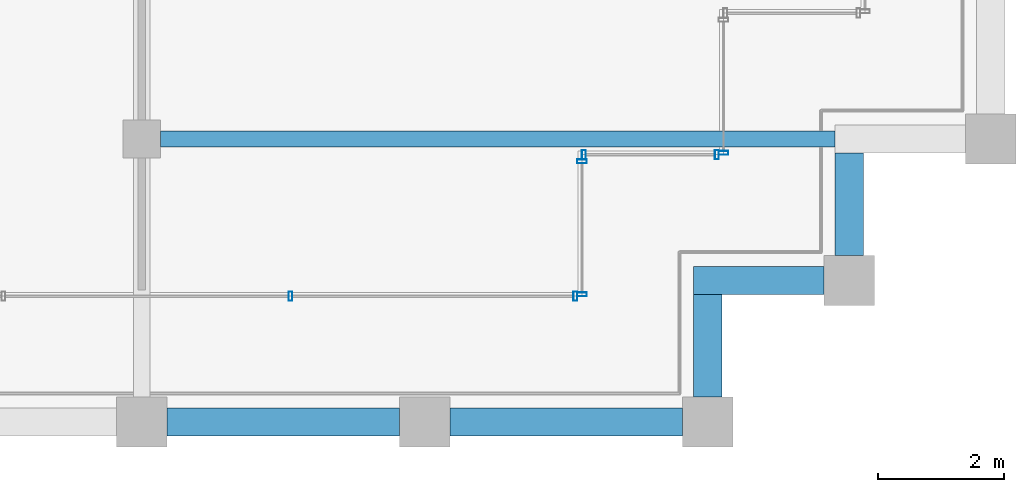
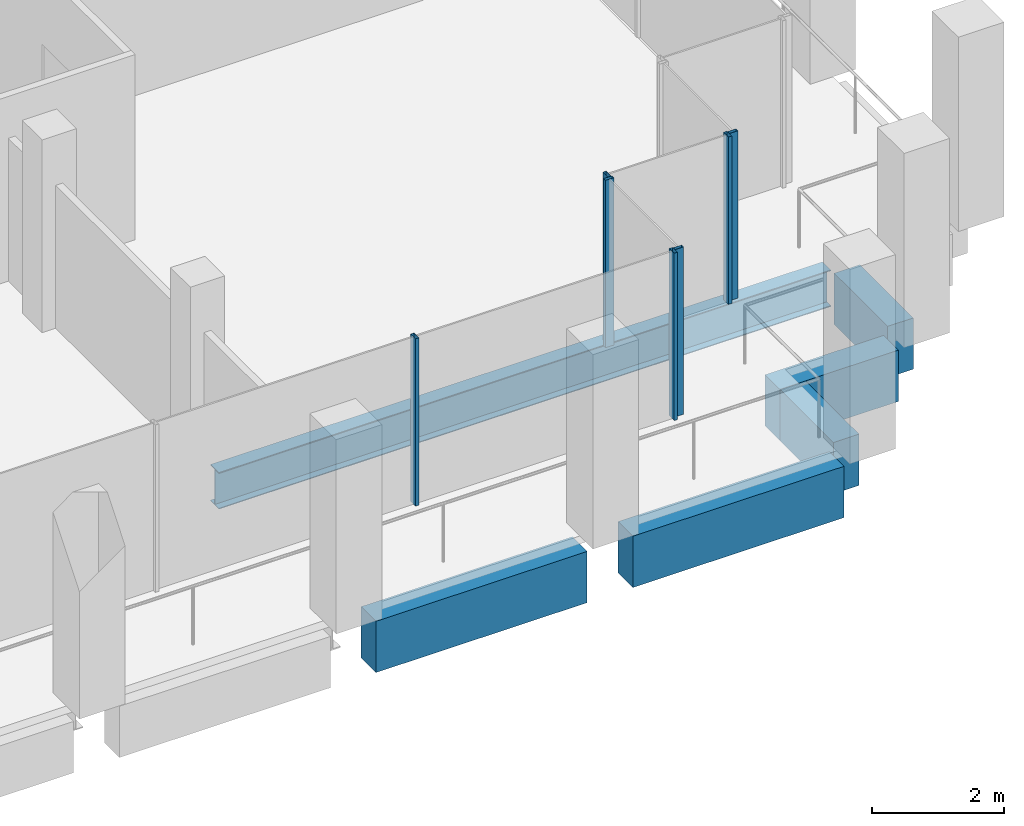
# One storey, part 12 of 30: 7 members, 6 beams, 4 elements without a shape of their own.
"""IFC4 building model written with IfcOpenShell, lengths in metres."""

from ifc_helpers import new_model, si_unit, direction, frame, origin, origin_2d, place, context, subcontext, project, spatial, rectangle, hollow_rectangle, i_section, extrude, material, material_profile, profile_set, type_object, element, aggregate, save


model = new_model("IFC4")

# Units and contexts
model_context = context("Model", 3, precision=1e-05, world=origin(), true_north=direction((0.0, 1.0)))
body_context = subcontext(model_context, "Body", "Model", "MODEL_VIEW")
ifc_project = project(units=[si_unit("LENGTHUNIT", "METRE"), si_unit("AREAUNIT", "SQUARE_METRE"), si_unit("VOLUMEUNIT", "CUBIC_METRE"), si_unit("PLANEANGLEUNIT", "RADIAN"), si_unit("MASSUNIT", "GRAM", prefix="KILO")], contexts=[model_context])

# Site, building, storey
site_placement = place(None, origin())
site = spatial("IfcSite", under=ifc_project, at=site_placement, CompositionType="ELEMENT")
building_placement = place(site_placement, origin())
building = spatial("IfcBuilding", under=site, at=building_placement, Name="Altepetl Exchange Towers", CompositionType="ELEMENT")
storey_placement = place(building_placement, frame((0.0, 0.0, 231.60009765625)))
storey = spatial("IfcBuildingStorey", under=building, at=storey_placement, Name="L59", CompositionType="ELEMENT", Elevation=231.60009765625)

# Beam
ifc_material_1 = material(Name="Steel S355", Category="steel")
ifc_material_profile_1 = material_profile(ifc_material_1, i_section(OverallWidth=0.2529296875, OverallDepth=0.677978515625, WebThickness=0.01171875, FlangeThickness=0.016357421875, at=origin_2d()), Name="W27X84")
ifc_profile_set_1 = profile_set([ifc_material_profile_1], Name="Steel S355")
beam_type_1 = type_object("IfcBeamType", Name="Floor beam W27X84", PredefinedType="BEAM", material=ifc_profile_set_1)
beam_1_placement = place(storey_placement, frame((58.800048828125, 31.5, -0.489013671875), z_axis=(1.0, 0.0, 0.0), x_axis=(0.0, 1.0, 0.0)))
element("IfcBeam", 1, at=beam_1_placement, inside=storey, type_object=beam_type_1, Name="bm:A:L59:006", PredefinedType="BEAM", context=body_context, shape_type="SweptSolid", body=[
    extrude(i_section(OverallWidth=0.2529296875, OverallDepth=0.677978515625, WebThickness=0.01171875, FlangeThickness=0.016357421875, at=origin_2d()), origin(), (0.0, 0.0, 1.0), 10.724853515625),
])

# Curtain wall, members
ifc_material_2 = material(Name="Aluminium 6063-T6 glazing", Category="aluminium")
curtain_wall_type = type_object("IfcCurtainWallType", Name="Loggia glazing system", PredefinedType="NOTDEFINED", material=ifc_material_2)
curtain_wall_1_placement = place(storey_placement, origin())
curtain_wall_1 = element("IfcCurtainWall", 2, at=curtain_wall_1_placement, inside=storey, type_object=curtain_wall_type, Name="CW1 run", PredefinedType="NOTDEFINED")
ifc_material_3 = material(Name="Aluminium 6063-T6", Category="aluminium")
ifc_material_profile_2 = material_profile(ifc_material_3, hollow_rectangle(XDim=0.06005859375, YDim=0.14990234375, WallThickness=0.0029296875, at=origin_2d()), Name="Mullion 60x150 aluminium")
ifc_profile_set_2 = profile_set([ifc_material_profile_2], Name="Aluminium 6063-T6")
member_type = type_object("IfcMemberType", Name="Mullion 60x150 aluminium", PredefinedType="MULLION", material=ifc_profile_set_2)
member_1_placement = place(storey_placement, frame((60.8642578125, 29.0, 0.0)))
member_1 = element("IfcMember", 3, at=member_1_placement, type_object=member_type, Name="MU1 mullion", PredefinedType="MULLION", context=body_context, shape_type="SweptSolid", body=[
    extrude(hollow_rectangle(XDim=0.06005859375, YDim=0.14990234375, WallThickness=0.0029296875, at=origin_2d()), origin(), (0.0, 0.0, 1.0), 3.099853515625),
])
member_2_placement = place(storey_placement, frame((65.39501953125, 29.0, 0.0)))
member_2 = element("IfcMember", 4, at=member_2_placement, type_object=member_type, Name="MU1 mullion", PredefinedType="MULLION", context=body_context, shape_type="SweptSolid", body=[
    extrude(hollow_rectangle(XDim=0.06005859375, YDim=0.14990234375, WallThickness=0.0029296875, at=origin_2d()), origin(), (0.0, 0.0, 1.0), 3.099853515625),
])
aggregate(curtain_wall_1, [member_1, member_2])

curtain_wall_2_placement = place(storey_placement, origin())
curtain_wall_2 = element("IfcCurtainWall", 5, at=curtain_wall_2_placement, inside=storey, type_object=curtain_wall_type, Name="CW1 run", PredefinedType="NOTDEFINED")
member_3_placement = place(storey_placement, frame((65.5, 29.030029296875, 0.0), z_axis=(0.0, 0.0, 1.0), x_axis=(0.0, 1.0, 0.0)))
member_3 = element("IfcMember", 6, at=member_3_placement, type_object=member_type, Name="MU1 mullion", PredefinedType="MULLION", context=body_context, shape_type="SweptSolid", body=[
    extrude(hollow_rectangle(XDim=0.06005859375, YDim=0.14990234375, WallThickness=0.0029296875, at=origin_2d()), origin(), (0.0, 0.0, 1.0), 3.099853515625),
])
member_4_placement = place(storey_placement, frame((65.5, 31.14501953125, 0.0), z_axis=(0.0, 0.0, 1.0), x_axis=(0.0, 1.0, 0.0)))
member_4 = element("IfcMember", 7, at=member_4_placement, type_object=member_type, Name="MU1 mullion", PredefinedType="MULLION", context=body_context, shape_type="SweptSolid", body=[
    extrude(hollow_rectangle(XDim=0.06005859375, YDim=0.14990234375, WallThickness=0.0029296875, at=origin_2d()), origin(), (0.0, 0.0, 1.0), 3.099853515625),
])
aggregate(curtain_wall_2, [member_3, member_4])

curtain_wall_3_placement = place(storey_placement, origin())
curtain_wall_3 = element("IfcCurtainWall", 8, at=curtain_wall_3_placement, inside=storey, type_object=curtain_wall_type, Name="CW1 run", PredefinedType="NOTDEFINED")
member_5_placement = place(storey_placement, frame((65.530029296875, 31.25, 0.0)))
member_5 = element("IfcMember", 9, at=member_5_placement, type_object=member_type, Name="MU1 mullion", PredefinedType="MULLION", context=body_context, shape_type="SweptSolid", body=[
    extrude(hollow_rectangle(XDim=0.06005859375, YDim=0.14990234375, WallThickness=0.0029296875, at=origin_2d()), origin(), (0.0, 0.0, 1.0), 3.099853515625),
])
member_6_placement = place(storey_placement, frame((67.64501953125, 31.25, 0.0)))
member_6 = element("IfcMember", 10, at=member_6_placement, type_object=member_type, Name="MU1 mullion", PredefinedType="MULLION", context=body_context, shape_type="SweptSolid", body=[
    extrude(hollow_rectangle(XDim=0.06005859375, YDim=0.14990234375, WallThickness=0.0029296875, at=origin_2d()), origin(), (0.0, 0.0, 1.0), 3.099853515625),
])
aggregate(curtain_wall_3, [member_5, member_6])

# Curtain wall, member
curtain_wall_4_placement = place(storey_placement, origin())
curtain_wall_4 = element("IfcCurtainWall", 11, at=curtain_wall_4_placement, inside=storey, type_object=curtain_wall_type, Name="CW1 run", PredefinedType="NOTDEFINED")
member_7_placement = place(storey_placement, frame((67.75, 31.280029296875, 0.0), z_axis=(0.0, 0.0, 1.0), x_axis=(0.0, 1.0, 0.0)))
member_7 = element("IfcMember", 12, at=member_7_placement, type_object=member_type, Name="MU1 mullion", PredefinedType="MULLION", context=body_context, shape_type="SweptSolid", body=[
    extrude(hollow_rectangle(XDim=0.06005859375, YDim=0.14990234375, WallThickness=0.0029296875, at=origin_2d()), origin(), (0.0, 0.0, 1.0), 3.099853515625),
])
aggregate(curtain_wall_4, [member_7])

# Beams
ifc_material_4 = material(Name="Concrete C50/60 precast with cantera amarilla facing", Category="concrete")
ifc_material_profile_3 = material_profile(ifc_material_4, rectangle(XDim=0.449951171875, YDim=0.949951171875, at=origin_2d()), Name="450 x 950")
ifc_profile_set_3 = profile_set([ifc_material_profile_3], Name="Concrete C50/60 precast with cantera amarilla facing")
beam_type_2 = type_object("IfcBeamType", Name="Spandrel beam 450x950 cantera amarilla", PredefinedType="SPANDREL", material=ifc_profile_set_3)
for number, where, z_axis, x_axis, name in (
    (13, (58.89990234375, 27.0, -0.625), (1.0, 0.0, 0.0), (0.0, 1.0, 0.0), "sp:A:L59:006"),
    (14, (63.39990234375, 27.0, -0.625), (1.0, 0.0, 0.0), (0.0, 1.0, 0.0), "sp:A:L59:007"),
):
    element("IfcBeam", number, at=place(storey_placement, frame(where, z_axis=z_axis, x_axis=x_axis)), inside=storey, type_object=beam_type_2, Name=name, PredefinedType="SPANDREL", context=body_context, shape_type="SweptSolid", body=[
        extrude(rectangle(XDim=0.449951171875, YDim=0.949951171875, at=origin_2d()), origin(), (0.0, 0.0, 1.0), 3.7001953125),
    ])
beam_2_placement = place(storey_placement, frame((67.5, 27.39990234375, -0.625), z_axis=(0.0, 1.0, 0.0), x_axis=(-1.0, 0.0, 0.0)))
element("IfcBeam", 15, at=beam_2_placement, inside=storey, type_object=beam_type_2, Name="sp:A:L59:008", PredefinedType="SPANDREL", context=body_context, shape_type="SweptSolid", body=[
    extrude(rectangle(XDim=0.449951171875, YDim=0.949951171875, at=origin_2d()), origin(), (0.0, 0.0, 1.0), 1.625),
])
beam_3_placement = place(storey_placement, frame((67.27490234375, 29.25, -0.625), z_axis=(1.0, 0.0, 0.0), x_axis=(0.0, 1.0, 0.0)))
element("IfcBeam", 16, at=beam_3_placement, inside=storey, type_object=beam_type_2, Name="sp:A:L59:009", PredefinedType="SPANDREL", context=body_context, shape_type="SweptSolid", body=[
    extrude(rectangle(XDim=0.449951171875, YDim=0.949951171875, at=origin_2d()), origin(), (0.0, 0.0, 1.0), 2.0751953125),
])
beam_4_placement = place(storey_placement, frame((69.75, 29.64990234375, -0.625), z_axis=(0.0, 1.0, 0.0), x_axis=(-1.0, 0.0, 0.0)))
element("IfcBeam", 17, at=beam_4_placement, inside=storey, type_object=beam_type_2, Name="sp:A:L59:010", PredefinedType="SPANDREL", context=body_context, shape_type="SweptSolid", body=[
    extrude(rectangle(XDim=0.449951171875, YDim=0.949951171875, at=origin_2d()), origin(), (0.0, 0.0, 1.0), 1.625),
])

save(model, "model.ifc")
